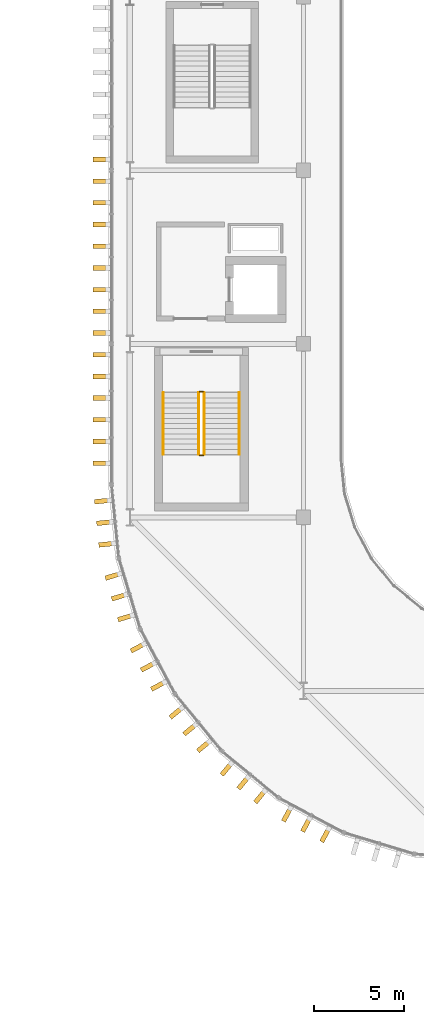
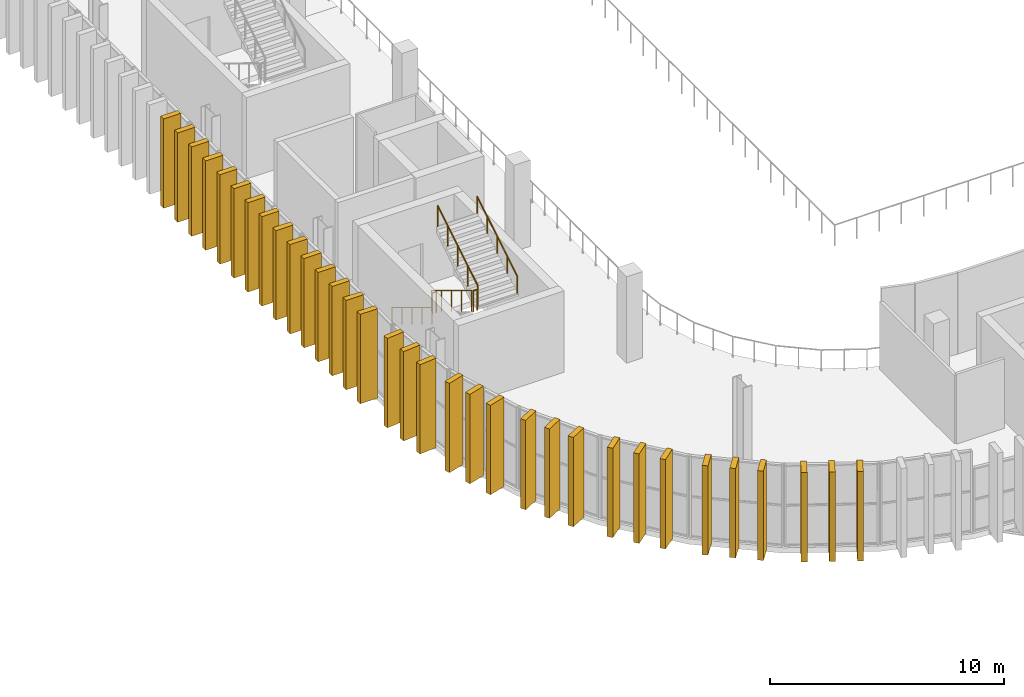
# One storey, part 61 of 75: 33 coverings, 6 railings.
"""IFC4 building model written with IfcOpenShell, lengths in metres."""

from ifc_helpers import new_model, si_unit, direction, frame, origin, origin_2d, place, context, subcontext, project, spatial, rectangle, circle, extrude, material, material_profile, profile_set, type_object, element, save


model = new_model("IFC4")

# Units and contexts
model_context = context("Model", 3, precision=1e-05, world=origin(), true_north=direction((0.0, 1.0)))
body_context = subcontext(model_context, "Body", "Model", "MODEL_VIEW")
ifc_project = project(units=[si_unit("LENGTHUNIT", "METRE"), si_unit("AREAUNIT", "SQUARE_METRE"), si_unit("VOLUMEUNIT", "CUBIC_METRE"), si_unit("PLANEANGLEUNIT", "RADIAN"), si_unit("MASSUNIT", "GRAM", prefix="KILO")], contexts=[model_context])

# Site, building, storey
site_placement = place(None, origin())
site = spatial("IfcSite", under=ifc_project, at=site_placement, CompositionType="ELEMENT")
building_placement = place(site_placement, origin())
building = spatial("IfcBuilding", under=site, at=building_placement, Name="Caelomonte Colonnade Arena", CompositionType="ELEMENT")
storey_placement = place(building_placement, frame((0.0, 0.0, 14.10009765625)))
storey = spatial("IfcBuildingStorey", under=building, at=storey_placement, Name="L03", CompositionType="ELEMENT", Elevation=14.10009765625)

# Coverings
ifc_material_1 = material(Name="Precast travertine cladding", Category="masonry")
ifc_material_profile = material_profile(ifc_material_1, rectangle(XDim=0.260009765625, YDim=0.85009765625, at=origin_2d()), Name="FIN260X850")
ifc_profile_set = profile_set([ifc_material_profile], Name="Precast travertine cladding")
covering_type = type_object("IfcCoveringType", Name="ENV-FN-SHAFT", PredefinedType="CLADDING", material=ifc_profile_set)
for number, where, z_axis, x_axis, name in (
    (1, (55.97900390625, 58.199951171875, -0.16015625), (0.0, 0.0, 1.0), (0.0, 1.0, 0.0), "V1 L03 classical travertine vertical fin 200"),
    (2, (55.97900390625, 57.0, -0.16015625), (0.0, 0.0, 1.0), (0.0, 1.0, 0.0), "V1 L03 classical travertine vertical fin 201"),
    (3, (55.97900390625, 55.800048828125, -0.16015625), (0.0, 0.0, 1.0), (0.0, 1.0, 0.0), "V1 L03 classical travertine vertical fin 202"),
    (4, (55.97900390625, 54.60009765625, -0.16015625), (0.0, 0.0, 1.0), (0.0, 1.0, 0.0), "V1 L03 classical travertine vertical fin 203"),
    (5, (55.97900390625, 53.39990234375, -0.16015625), (0.0, 0.0, 1.0), (0.0, 1.0, 0.0), "V1 L03 classical travertine vertical fin 204"),
    (6, (55.97900390625, 52.199951171875, -0.16015625), (0.0, 0.0, 1.0), (0.0, 1.0, 0.0), "V1 L03 classical travertine vertical fin 205"),
    (7, (55.97900390625, 51.0, -0.16015625), (0.0, 0.0, 1.0), (0.0, 1.0, 0.0), "V1 L03 classical travertine vertical fin 206"),
    (8, (55.97900390625, 49.800048828125, -0.16015625), (0.0, 0.0, 1.0), (0.0, 1.0, 0.0), "V1 L03 classical travertine vertical fin 207"),
    (9, (55.97900390625, 48.60009765625, -0.16015625), (0.0, 0.0, 1.0), (0.0, 1.0, 0.0), "V1 L03 classical travertine vertical fin 208"),
    (10, (55.97900390625, 47.39990234375, -0.16015625), (0.0, 0.0, 1.0), (0.0, 1.0, 0.0), "V1 L03 classical travertine vertical fin 209"),
    (11, (55.97900390625, 46.199951171875, -0.16015625), (0.0, 0.0, 1.0), (0.0, 1.0, 0.0), "V1 L03 classical travertine vertical fin 210"),
    (12, (55.97900390625, 45.0, -0.16015625), (0.0, 0.0, 1.0), (0.0, 1.0, 0.0), "V1 L03 classical travertine vertical fin 211"),
    (13, (55.97900390625, 43.800048828125, -0.16015625), (0.0, 0.0, 1.0), (0.0, 1.0, 0.0), "V1 L03 classical travertine vertical fin 212"),
    (14, (55.97900390625, 42.60009765625, -0.16015625), (0.0, 0.0, 1.0), (0.0, 1.0, 0.0), "V1 L03 classical travertine vertical fin 213"),
    (15, (55.97900390625, 41.39990234375, -0.16015625), (0.0, 0.0, 1.0), (0.0, 1.0, 0.0), "V1 L03 classical travertine vertical fin 214"),
    (16, (56.065185546875, 39.304443359375, -0.16015625), (0.0, 0.0, 1.0), (-0.098015403404, 0.995184897743, 0.0), "V1 L03 classical travertine vertical fin 215"),
    (17, (56.182861328125, 38.1103515625, -0.16015625), (0.0, 0.0, 1.0), (-0.098015403404, 0.995184897743, 0.0), "V1 L03 classical travertine vertical fin 216"),
    (18, (56.30029296875, 36.916015625, -0.16015625), (0.0, 0.0, 1.0), (-0.098015403404, 0.995184897743, 0.0), "V1 L03 classical travertine vertical fin 217"),
    (19, (56.64990234375, 35.159423828125, -0.16015625), (0.0, 0.0, 1.0), (-0.290276326364, 0.956942868907, 0.0), "V1 L03 classical travertine vertical fin 218"),
    (20, (56.998046875, 34.010986328125, -0.16015625), (0.0, 0.0, 1.0), (-0.290276326364, 0.956942868907, 0.0), "V1 L03 classical travertine vertical fin 219"),
    (21, (57.346435546875, 32.86279296875, -0.16015625), (0.0, 0.0, 1.0), (-0.290276326364, 0.956942868907, 0.0), "V1 L03 classical travertine vertical fin 220"),
    (22, (58.03173828125, 31.2080078125, -0.16015625), (0.0, 0.0, 1.0), (-0.471396736826, 0.881921264348, 0.0), "V1 L03 classical travertine vertical fin 221"),
    (23, (58.597412109375, 30.14990234375, -0.16015625), (0.0, 0.0, 1.0), (-0.471396736826, 0.881921264348, 0.0), "V1 L03 classical travertine vertical fin 222"),
    (24, (59.1630859375, 29.091552734375, -0.16015625), (0.0, 0.0, 1.0), (-0.471396736826, 0.881921264348, 0.0), "V1 L03 classical travertine vertical fin 223"),
    (25, (60.158203125, 27.602294921875, -0.16015625), (0.0, 0.0, 1.0), (-0.634413521313, 0.77299384472, 0.0), "V1 L03 classical travertine vertical fin 224"),
    (26, (60.91943359375, 26.6748046875, -0.16015625), (0.0, 0.0, 1.0), (-0.634413521313, 0.77299384472, 0.0), "V1 L03 classical travertine vertical fin 225"),
    (27, (61.680908203125, 25.747314453125, -0.16015625), (0.0, 0.0, 1.0), (-0.634413521313, 0.77299384472, 0.0), "V1 L03 classical travertine vertical fin 226"),
    (28, (62.947265625, 24.480712890625, -0.16015625), (0.0, 0.0, 1.0), (-0.77299384472, 0.634413521313, 0.0), "V1 L03 classical travertine vertical fin 227"),
    (29, (63.874755859375, 23.719482421875, -0.16015625), (0.0, 0.0, 1.0), (-0.77299384472, 0.634413521313, 0.0), "V1 L03 classical travertine vertical fin 228"),
    (30, (64.802490234375, 22.958251953125, -0.16015625), (0.0, 0.0, 1.0), (-0.77299384472, 0.634413521313, 0.0), "V1 L03 classical travertine vertical fin 229"),
    (31, (66.29150390625, 21.963134765625, -0.16015625), (0.0, 0.0, 1.0), (-0.881921264348, 0.471396736826, 0.0), "V1 L03 classical travertine vertical fin 230"),
    (32, (67.349853515625, 21.3974609375, -0.16015625), (0.0, 0.0, 1.0), (-0.881921264348, 0.471396736826, 0.0), "V1 L03 classical travertine vertical fin 231"),
    (33, (68.408203125, 20.831787109375, -0.16015625), (0.0, 0.0, 1.0), (-0.881921264348, 0.471396736826, 0.0), "V1 L03 classical travertine vertical fin 232"),
):
    element("IfcCovering", number, at=place(storey_placement, frame(where, z_axis=z_axis, x_axis=x_axis)), inside=storey, type_object=covering_type, Name=name, PredefinedType="CLADDING", context=body_context, shape_type="SweptSolid", body=[
        extrude(rectangle(XDim=0.260009765625, YDim=0.85009765625, at=origin_2d()), origin(), (0.0, 0.0, 1.0), 4.66015625),
    ])

# Railings
ifc_material_2 = material(Name="Painted galvanized steel stair guard", Category="steel")
railing_type_1 = type_object("IfcRailingType", Name="INT-RL-GRD", PredefinedType="GUARDRAIL", material=ifc_material_2)
railing_1_placement = place(storey_placement, frame((61.39990234375, 45.300048828125, 0.173095703125)))
element("IfcRailing", 34, at=railing_1_placement, inside=storey, type_object=railing_type_1, Name="L03 ST-01 stair guard 1", PredefinedType="GUARDRAIL", context=body_context, shape_type="SweptSolid", body=[
    extrude(circle(Radius=0.02392578125, at=origin_2d()), frame((0.0, 0.0, 1.076171875), z_axis=(0.0, -0.854745945586, 0.519046595696), x_axis=(1.0, 0.0, 0.0)), (0.0, 0.0, 1.0), 4.00146484375),
    extrude(circle(Radius=0.02099609375, at=origin_2d()), origin(), (0.0, 0.0, 1.0), 1.048095703125),
    extrude(circle(Radius=0.02099609375, at=origin_2d()), frame((0.0, -0.85498046875, 0.519287109375)), (0.0, 0.0, 1.0), 1.048095703125),
    extrude(circle(Radius=0.02099609375, at=origin_2d()), frame((0.0, -1.7099609375, 1.03857421875)), (0.0, 0.0, 1.0), 1.048095703125),
    extrude(circle(Radius=0.02099609375, at=origin_2d()), frame((0.0, -2.565185546875, 1.5576171875)), (0.0, 0.0, 1.0), 1.048095703125),
    extrude(circle(Radius=0.02099609375, at=origin_2d()), frame((0.0, -3.420166015625, 2.076904296875)), (0.0, 0.0, 1.0), 1.048095703125),
])
railing_2_placement = place(storey_placement, frame((61.449951171875, 41.830078125, 2.25)))
element("IfcRailing", 35, at=railing_2_placement, inside=storey, type_object=railing_type_1, Name="L03 ST-01 stair guard 2", PredefinedType="GUARDRAIL", context=body_context, shape_type="SweptSolid", body=[
    extrude(circle(Radius=0.02392578125, at=origin_2d()), frame((0.0, 0.0, 1.076171875), z_axis=(1.0, 0.0, 0.0), x_axis=(0.0, 1.0, 0.0)), (0.0, 0.0, 1.0), 0.199951171875),
    extrude(circle(Radius=0.02099609375, at=origin_2d()), origin(), (0.0, 0.0, 1.0), 1.048095703125),
    extrude(circle(Radius=0.02099609375, at=origin_2d()), frame((0.199951171875, 0.0, 0.0)), (0.0, 0.0, 1.0), 1.048095703125),
])
railing_3_placement = place(storey_placement, frame((61.699951171875, 41.8798828125, 2.423095703125)))
element("IfcRailing", 36, at=railing_3_placement, inside=storey, type_object=railing_type_1, Name="L03 ST-01 stair guard 3", PredefinedType="GUARDRAIL", context=body_context, shape_type="SweptSolid", body=[
    extrude(circle(Radius=0.02392578125, at=origin_2d()), frame((0.0, 0.0, 1.076171875), z_axis=(0.0, 0.854745945586, 0.519046595696), x_axis=(-1.0, 0.0, 0.0)), (0.0, 0.0, 1.0), 4.00146484375),
    extrude(circle(Radius=0.02099609375, at=origin_2d()), origin(), (0.0, 0.0, 1.0), 1.048095703125),
    extrude(circle(Radius=0.02099609375, at=origin_2d()), frame((0.0, 0.85498046875, 0.519287109375)), (0.0, 0.0, 1.0), 1.048095703125),
    extrude(circle(Radius=0.02099609375, at=origin_2d()), frame((0.0, 1.7099609375, 1.03857421875)), (0.0, 0.0, 1.0), 1.048095703125),
    extrude(circle(Radius=0.02099609375, at=origin_2d()), frame((0.0, 2.565185546875, 1.5576171875)), (0.0, 0.0, 1.0), 1.048095703125),
    extrude(circle(Radius=0.02099609375, at=origin_2d()), frame((0.0, 3.420166015625, 2.076904296875)), (0.0, 0.0, 1.0), 1.048095703125),
])
railing_4_placement = place(storey_placement, frame((61.449951171875, 45.35009765625, 0.0)))
element("IfcRailing", 37, at=railing_4_placement, inside=storey, type_object=railing_type_1, Name="L03 ST-01 stair guard 4", PredefinedType="GUARDRAIL", context=body_context, shape_type="SweptSolid", body=[
    extrude(circle(Radius=0.02392578125, at=origin_2d()), frame((0.0, 0.0, 1.076171875), z_axis=(1.0, 0.0, 0.0), x_axis=(0.0, 1.0, 0.0)), (0.0, 0.0, 1.0), 0.199951171875),
    extrude(circle(Radius=0.02099609375, at=origin_2d()), origin(), (0.0, 0.0, 1.0), 1.048095703125),
    extrude(circle(Radius=0.02099609375, at=origin_2d()), frame((0.199951171875, 0.0, 0.0)), (0.0, 0.0, 1.0), 1.048095703125),
])
ifc_material_3 = material(Name="Brushed stainless steel stair handrail", Category="steel")
railing_type_2 = type_object("IfcRailingType", Name="INT-RL-HR", PredefinedType="HANDRAIL", material=ifc_material_3)
railing_5_placement = place(storey_placement, frame((59.449951171875, 45.300048828125, 0.173095703125)))
element("IfcRailing", 38, at=railing_5_placement, inside=storey, type_object=railing_type_2, Name="L03 ST-01 stair handrail 1", PredefinedType="HANDRAIL", context=body_context, shape_type="SweptSolid", body=[
    extrude(circle(Radius=0.02392578125, at=origin_2d()), frame((0.0, 0.0, 0.8759765625), z_axis=(0.0, -0.854745945586, 0.519046595696), x_axis=(1.0, 0.0, 0.0)), (0.0, 0.0, 1.0), 4.00146484375),
    extrude(circle(Radius=0.02099609375, at=origin_2d()), origin(), (0.0, 0.0, 1.0), 0.847900390625),
    extrude(circle(Radius=0.02099609375, at=origin_2d()), frame((0.0, -0.85498046875, 0.519287109375)), (0.0, 0.0, 1.0), 0.847900390625),
    extrude(circle(Radius=0.02099609375, at=origin_2d()), frame((0.0, -1.7099609375, 1.03857421875)), (0.0, 0.0, 1.0), 0.847900390625),
    extrude(circle(Radius=0.02099609375, at=origin_2d()), frame((0.0, -2.565185546875, 1.5576171875)), (0.0, 0.0, 1.0), 0.847900390625),
    extrude(circle(Radius=0.02099609375, at=origin_2d()), frame((0.0, -3.420166015625, 2.076904296875)), (0.0, 0.0, 1.0), 0.847900390625),
])
railing_6_placement = place(storey_placement, frame((63.64990234375, 41.8798828125, 2.423095703125)))
element("IfcRailing", 39, at=railing_6_placement, inside=storey, type_object=railing_type_2, Name="L03 ST-01 stair handrail 2", PredefinedType="HANDRAIL", context=body_context, shape_type="SweptSolid", body=[
    extrude(circle(Radius=0.02392578125, at=origin_2d()), frame((0.0, 0.0, 0.8759765625), z_axis=(0.0, 0.854745945586, 0.519046595696), x_axis=(-1.0, 0.0, 0.0)), (0.0, 0.0, 1.0), 4.00146484375),
    extrude(circle(Radius=0.02099609375, at=origin_2d()), origin(), (0.0, 0.0, 1.0), 0.847900390625),
    extrude(circle(Radius=0.02099609375, at=origin_2d()), frame((0.0, 0.85498046875, 0.519287109375)), (0.0, 0.0, 1.0), 0.847900390625),
    extrude(circle(Radius=0.02099609375, at=origin_2d()), frame((0.0, 1.7099609375, 1.03857421875)), (0.0, 0.0, 1.0), 0.847900390625),
    extrude(circle(Radius=0.02099609375, at=origin_2d()), frame((0.0, 2.565185546875, 1.5576171875)), (0.0, 0.0, 1.0), 0.847900390625),
    extrude(circle(Radius=0.02099609375, at=origin_2d()), frame((0.0, 3.420166015625, 2.076904296875)), (0.0, 0.0, 1.0), 0.847900390625),
])

save(model, "model.ifc")
